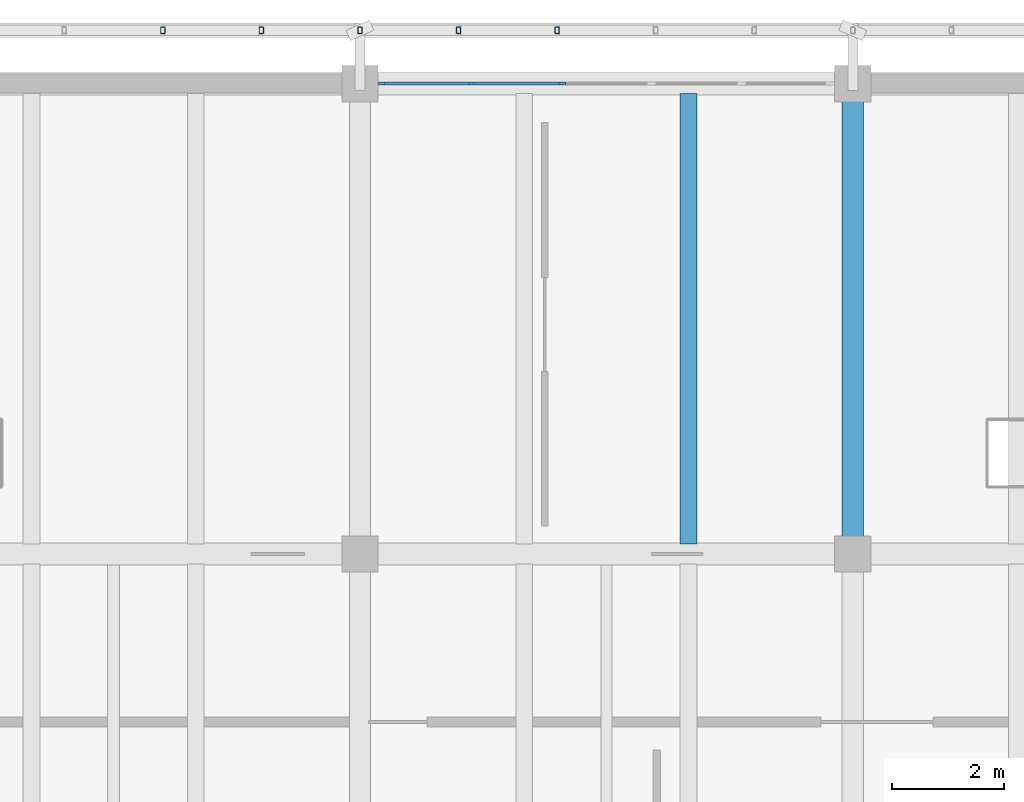
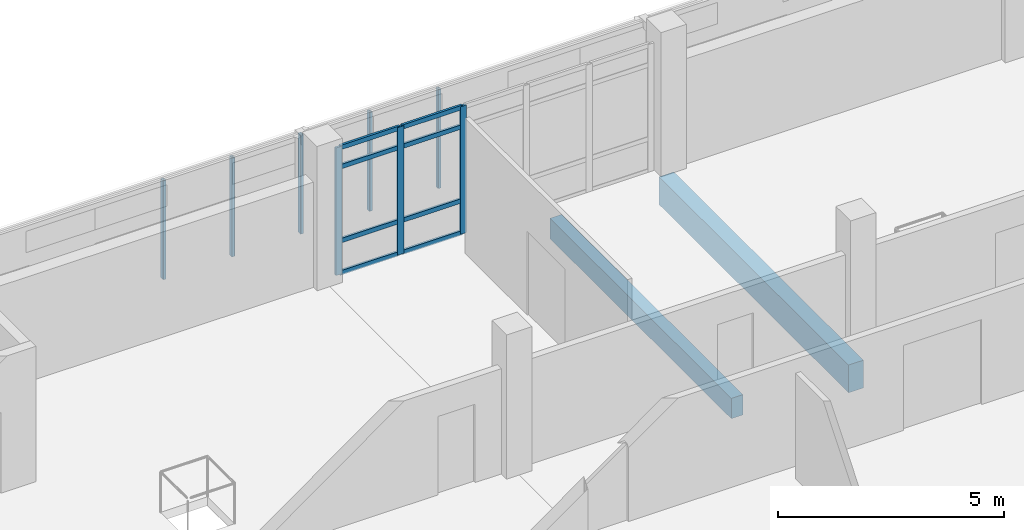
# One storey, part 66 of 117: 16 members, 2 beams, 1 element without a shape of its own.
"""IFC4 building model written with IfcOpenShell, lengths in metres."""

from ifc_helpers import new_model, si_unit, direction, frame, origin, origin_2d, place, context, subcontext, project, spatial, rectangle, hollow_rectangle, extrude, material, material_profile, profile_set, type_object, element, aggregate, save


model = new_model("IFC4")

# Units and contexts
model_context = context("Model", 3, precision=1e-05, world=origin(), true_north=direction((0.0, 1.0)))
body_context = subcontext(model_context, "Body", "Model", "MODEL_VIEW")
ifc_project = project(units=[si_unit("LENGTHUNIT", "METRE"), si_unit("AREAUNIT", "SQUARE_METRE"), si_unit("VOLUMEUNIT", "CUBIC_METRE"), si_unit("PLANEANGLEUNIT", "RADIAN"), si_unit("MASSUNIT", "GRAM", prefix="KILO")], contexts=[model_context])

# Site, building, storey
site_placement = place(None, origin())
site = spatial("IfcSite", under=ifc_project, at=site_placement, CompositionType="ELEMENT")
building_placement = place(site_placement, origin())
building = spatial("IfcBuilding", under=site, at=building_placement, Name="Cinderway Yard Community Centre", CompositionType="ELEMENT")
storey_placement = place(building_placement, frame((0.0, 0.0, 9.0)))
storey = spatial("IfcBuildingStorey", under=building, at=storey_placement, Name="L02", CompositionType="ELEMENT", Elevation=9.0)

# Curtain wall, members
ifc_material_1 = material(Name="Aluminium 6063-T6", Category="aluminium")
curtain_wall_type = type_object("IfcCurtainWallType", Name="ENV-CW-TYPE-30", PredefinedType="USERDEFINED", material=ifc_material_1)
curtain_wall_placement = place(storey_placement, origin())
curtain_wall = element("IfcCurtainWall", 1, at=curtain_wall_placement, inside=storey, type_object=curtain_wall_type, Name="V4 Street Curtain Wall ENV-CW-L02-ST-0151", ObjectType="GLAZED CURTAIN WALL", PredefinedType="USERDEFINED")
ifc_material_profile_1 = material_profile(ifc_material_1, rectangle(XDim=0.06005859375, YDim=0.159912109375, at=origin_2d()), Name="Aluminium 6063-T6")
ifc_profile_set_1 = profile_set([ifc_material_profile_1], Name="Aluminium 6063-T6")
member_type_1 = type_object("IfcMemberType", Name="ENV-CW-MULL-150", PredefinedType="MULLION", material=ifc_profile_set_1)
member_1_placement = place(storey_placement, frame((93.2099609375, 115.199951171875, 0.0), z_axis=(0.0, 0.0, 1.0), x_axis=(0.0, 1.0, 0.0)))
member_1 = element("IfcMember", 2, at=member_1_placement, type_object=member_type_1, Name="CW-30 mullion 1", PredefinedType="MULLION", context=body_context, shape_type="SweptSolid", body=[
    extrude(rectangle(XDim=0.06005859375, YDim=0.159912109375, at=origin_2d()), origin(), (0.0, 0.0, 1.0), 3.449951171875),
])
member_2_placement = place(storey_placement, frame((94.7880859375, 115.199951171875, 0.0), z_axis=(0.0, 0.0, 1.0), x_axis=(0.0, 1.0, 0.0)))
member_2 = element("IfcMember", 3, at=member_2_placement, type_object=member_type_1, Name="CW-30 mullion 2", PredefinedType="MULLION", context=body_context, shape_type="SweptSolid", body=[
    extrude(rectangle(XDim=0.06005859375, YDim=0.159912109375, at=origin_2d()), origin(), (0.0, 0.0, 1.0), 3.449951171875),
])
member_3_placement = place(storey_placement, frame((96.39599609375, 115.199951171875, 0.0), z_axis=(0.0, 0.0, 1.0), x_axis=(0.0, 1.0, 0.0)))
member_3 = element("IfcMember", 4, at=member_3_placement, type_object=member_type_1, Name="CW-30 mullion 3", PredefinedType="MULLION", context=body_context, shape_type="SweptSolid", body=[
    extrude(rectangle(XDim=0.06005859375, YDim=0.159912109375, at=origin_2d()), origin(), (0.0, 0.0, 1.0), 3.449951171875),
])
ifc_material_profile_2 = material_profile(ifc_material_1, rectangle(XDim=0.06005859375, YDim=0.1201171875, at=origin_2d()), Name="Aluminium 6063-T6")
ifc_profile_set_2 = profile_set([ifc_material_profile_2], Name="Aluminium 6063-T6")
member_type_2 = type_object("IfcMemberType", Name="ENV-CW-TRAN-110", PredefinedType="USERDEFINED", material=ifc_profile_set_2)
member_4_placement = place(storey_placement, frame((93.239990234375, 115.199951171875, 0.030029296875), z_axis=(1.0, 0.0, 0.0), x_axis=(0.0, 1.0, 0.0)))
member_4 = element("IfcMember", 5, at=member_4_placement, type_object=member_type_2, Name="CW-30 transom 1.1", ObjectType="TRANSOM", PredefinedType="USERDEFINED", context=body_context, shape_type="SweptSolid", body=[
    extrude(rectangle(XDim=0.06005859375, YDim=0.1201171875, at=origin_2d()), origin(), (0.0, 0.0, 1.0), 1.51806640625),
])
member_5_placement = place(storey_placement, frame((93.239990234375, 115.199951171875, 0.89990234375), z_axis=(1.0, 0.0, 0.0), x_axis=(0.0, 1.0, 0.0)))
member_5 = element("IfcMember", 6, at=member_5_placement, type_object=member_type_2, Name="CW-30 transom 1.2", ObjectType="TRANSOM", PredefinedType="USERDEFINED", context=body_context, shape_type="SweptSolid", body=[
    extrude(rectangle(XDim=0.06005859375, YDim=0.1201171875, at=origin_2d()), origin(), (0.0, 0.0, 1.0), 1.51806640625),
])
member_6_placement = place(storey_placement, frame((93.239990234375, 115.199951171875, 2.89990234375), z_axis=(1.0, 0.0, 0.0), x_axis=(0.0, 1.0, 0.0)))
member_6 = element("IfcMember", 7, at=member_6_placement, type_object=member_type_2, Name="CW-30 transom 1.3", ObjectType="TRANSOM", PredefinedType="USERDEFINED", context=body_context, shape_type="SweptSolid", body=[
    extrude(rectangle(XDim=0.06005859375, YDim=0.1201171875, at=origin_2d()), origin(), (0.0, 0.0, 1.0), 1.51806640625),
])
member_7_placement = place(storey_placement, frame((93.239990234375, 115.199951171875, 3.419921875), z_axis=(1.0, 0.0, 0.0), x_axis=(0.0, 1.0, 0.0)))
member_7 = element("IfcMember", 8, at=member_7_placement, type_object=member_type_2, Name="CW-30 transom 1.4", ObjectType="TRANSOM", PredefinedType="USERDEFINED", context=body_context, shape_type="SweptSolid", body=[
    extrude(rectangle(XDim=0.06005859375, YDim=0.1201171875, at=origin_2d()), origin(), (0.0, 0.0, 1.0), 1.51806640625),
])
member_8_placement = place(storey_placement, frame((94.818115234375, 115.199951171875, 0.030029296875), z_axis=(1.0, 0.0, 0.0), x_axis=(0.0, 1.0, 0.0)))
member_8 = element("IfcMember", 9, at=member_8_placement, type_object=member_type_2, Name="CW-30 transom 2.1", ObjectType="TRANSOM", PredefinedType="USERDEFINED", context=body_context, shape_type="SweptSolid", body=[
    extrude(rectangle(XDim=0.06005859375, YDim=0.1201171875, at=origin_2d()), origin(), (0.0, 0.0, 1.0), 1.5478515625),
])
member_9_placement = place(storey_placement, frame((94.818115234375, 115.199951171875, 0.89990234375), z_axis=(1.0, 0.0, 0.0), x_axis=(0.0, 1.0, 0.0)))
member_9 = element("IfcMember", 10, at=member_9_placement, type_object=member_type_2, Name="CW-30 transom 2.2", ObjectType="TRANSOM", PredefinedType="USERDEFINED", context=body_context, shape_type="SweptSolid", body=[
    extrude(rectangle(XDim=0.06005859375, YDim=0.1201171875, at=origin_2d()), origin(), (0.0, 0.0, 1.0), 1.5478515625),
])
member_10_placement = place(storey_placement, frame((94.818115234375, 115.199951171875, 2.89990234375), z_axis=(1.0, 0.0, 0.0), x_axis=(0.0, 1.0, 0.0)))
member_10 = element("IfcMember", 11, at=member_10_placement, type_object=member_type_2, Name="CW-30 transom 2.3", ObjectType="TRANSOM", PredefinedType="USERDEFINED", context=body_context, shape_type="SweptSolid", body=[
    extrude(rectangle(XDim=0.06005859375, YDim=0.1201171875, at=origin_2d()), origin(), (0.0, 0.0, 1.0), 1.5478515625),
])
member_11_placement = place(storey_placement, frame((94.818115234375, 115.199951171875, 3.419921875), z_axis=(1.0, 0.0, 0.0), x_axis=(0.0, 1.0, 0.0)))
member_11 = element("IfcMember", 12, at=member_11_placement, type_object=member_type_2, Name="CW-30 transom 2.4", ObjectType="TRANSOM", PredefinedType="USERDEFINED", context=body_context, shape_type="SweptSolid", body=[
    extrude(rectangle(XDim=0.06005859375, YDim=0.1201171875, at=origin_2d()), origin(), (0.0, 0.0, 1.0), 1.5478515625),
])
aggregate(curtain_wall, [member_1, member_2, member_3, member_4, member_5, member_6, member_7, member_8, member_9, member_10, member_11])

# Members
ifc_material_2 = material(Name="Steel S355", Category="steel")
ifc_material_profile_3 = material_profile(ifc_material_2, hollow_rectangle(XDim=0.080078125, YDim=0.1201171875, WallThickness=0.00634765625, InnerFilletRadius=0.00634765625, OuterFilletRadius=0.0126953125, at=origin_2d()), Name="Steel S355")
ifc_profile_set_3 = profile_set([ifc_material_profile_3], Name="Steel S355")
member_type_3 = type_object("IfcMemberType", Name="ENV-MEM-SCREEN-RAIL-120", PredefinedType="STRINGER", material=ifc_profile_set_3)
for number, where, z_axis, x_axis, name in (
    (13, (89.280029296875, 116.14990234375, 0.68994140625), (0.0, 0.0, 1.0), (1.0, 0.0, 0.0), "Screen vertical mullion 0143"),
    (14, (91.0400390625, 116.14990234375, 0.68994140625), (0.0, 0.0, 1.0), (1.0, 0.0, 0.0), "Screen vertical mullion 0144"),
    (15, (92.800048828125, 116.14990234375, 0.68994140625), (0.0, 0.0, 1.0), (1.0, 0.0, 0.0), "Screen vertical mullion 0145"),
    (16, (94.56005859375, 116.14990234375, 0.68994140625), (0.0, 0.0, 1.0), (1.0, 0.0, 0.0), "Screen vertical mullion 0149"),
    (17, (96.320068359375, 116.14990234375, 0.68994140625), (0.0, 0.0, 1.0), (1.0, 0.0, 0.0), "Screen vertical mullion 0150"),
):
    element("IfcMember", number, at=place(storey_placement, frame(where, z_axis=z_axis, x_axis=x_axis)), inside=storey, type_object=member_type_3, Name=name, PredefinedType="STRINGER", context=body_context, shape_type="SweptSolid", body=[
        extrude(hollow_rectangle(XDim=0.080078125, YDim=0.1201171875, WallThickness=0.00634765625, InnerFilletRadius=0.00634765625, OuterFilletRadius=0.0126953125, at=origin_2d()), origin(), (0.0, 0.0, 1.0), 2.670166015625),
    ])

# Beams
ifc_material_3 = material(Name="Concrete C35/45", Category="concrete")
ifc_material_profile_4 = material_profile(ifc_material_3, rectangle(XDim=0.300048828125, YDim=0.550048828125, at=origin_2d()), Name="Concrete C35/45")
ifc_profile_set_4 = profile_set([ifc_material_profile_4], Name="Concrete C35/45")
beam_type_1 = type_object("IfcBeamType", Name="STR-BM-RC300X550", PredefinedType="JOIST", material=ifc_profile_set_4)
beam_1_placement = place(storey_placement, frame((98.6669921875, 106.98193359375, -0.514892578125), z_axis=(0.0, 1.0, 0.0), x_axis=(-1.0, 0.0, 0.0)))
element("IfcBeam", 18, at=beam_1_placement, inside=storey, type_object=beam_type_1, Name="Secondary joist STR-BM-L02-BJ03-0620", PredefinedType="JOIST", context=body_context, shape_type="SweptSolid", body=[
    extrude(rectangle(XDim=0.300048828125, YDim=0.550048828125, at=origin_2d()), origin(), (0.0, 0.0, 1.0), 8.0361328125),
])
ifc_material_profile_5 = material_profile(ifc_material_3, rectangle(XDim=0.3798828125, YDim=0.75, at=origin_2d()), Name="Concrete C35/45")
ifc_profile_set_5 = profile_set([ifc_material_profile_5], Name="Concrete C35/45")
beam_type_2 = type_object("IfcBeamType", Name="STR-BM-RC380X750", PredefinedType="BEAM", material=ifc_profile_set_5)
beam_2_placement = place(storey_placement, frame((101.60009765625, 106.800048828125, -0.614990234375), z_axis=(0.0, 1.0, 0.0), x_axis=(-1.0, 0.0, 0.0)))
element("IfcBeam", 19, at=beam_2_placement, inside=storey, type_object=beam_type_2, Name="Transverse girder STR-BM-L02-BG06-0567", PredefinedType="BEAM", context=body_context, shape_type="SweptSolid", body=[
    extrude(rectangle(XDim=0.3798828125, YDim=0.75, at=origin_2d()), origin(), (0.0, 0.0, 1.0), 8.39990234375),
])

save(model, "model.ifc")
